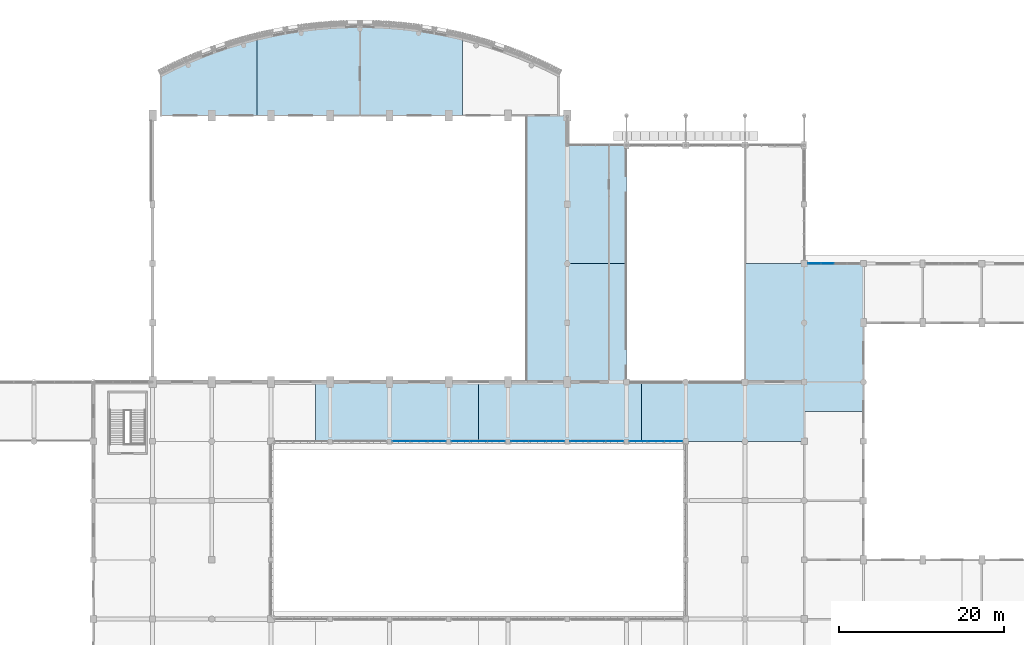
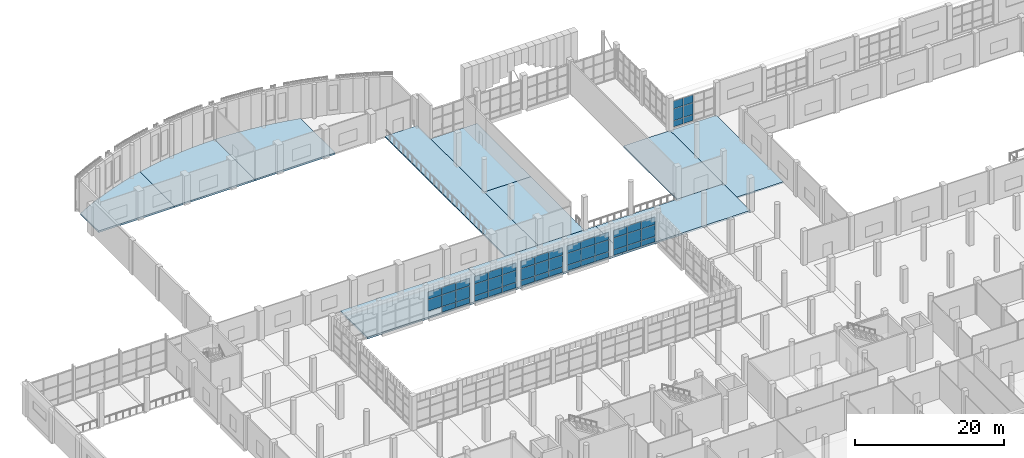
# One storey, part 40 of 80: 50 plates, 11 slabs, 6 elements without a shape of their own.
"""IFC4 building model written with IfcOpenShell, lengths in metres."""

from ifc_helpers import new_model, si_unit, direction, frame, origin, origin_2d, place, context, subcontext, project, spatial, polyline, rectangle, outline, extrude, material, layer, layer_set, type_object, element, aggregate, save


model = new_model("IFC4")

# Units and contexts
model_context = context("Model", 3, precision=1e-05, world=origin(), true_north=direction((0.0, 1.0)))
body_context = subcontext(model_context, "Body", "Model", "MODEL_VIEW")
ifc_project = project(units=[si_unit("LENGTHUNIT", "METRE"), si_unit("AREAUNIT", "SQUARE_METRE"), si_unit("VOLUMEUNIT", "CUBIC_METRE"), si_unit("PLANEANGLEUNIT", "RADIAN"), si_unit("MASSUNIT", "GRAM", prefix="KILO")], contexts=[model_context])

# Site, building, storey
site_placement = place(None, origin())
site = spatial("IfcSite", under=ifc_project, at=site_placement, CompositionType="ELEMENT")
building_placement = place(site_placement, origin())
building = spatial("IfcBuilding", under=site, at=building_placement, Name="Sardonyx Promenade Sports Hall", CompositionType="ELEMENT")
storey_placement = place(building_placement, frame((0.0, 0.0, 5.60009765625)))
storey = spatial("IfcBuildingStorey", under=building, at=storey_placement, Name="L01", CompositionType="ELEMENT", Elevation=5.60009765625)

# Curtain wall, plates
ifc_material_1 = material(Name="Aluminium 6063-T6", Category="aluminium")
curtain_wall_type_1 = type_object("IfcCurtainWallType", Name="CW_Riwaq_L01_640", PredefinedType="USERDEFINED", material=ifc_material_1)
curtain_wall_1_placement = place(storey_placement, origin())
curtain_wall_1 = element("IfcCurtainWall", 1, at=curtain_wall_1_placement, inside=storey, type_object=curtain_wall_type_1, Name="Curtain wall CW18 cw:L01:131", ObjectType="CURTAIN WALL", PredefinedType="USERDEFINED")
ifc_material_2 = material(Name="Double-glazed acoustic IGU 32 mm", Category="glass")
ifc_layer_1 = layer(ifc_material_2, 0.031982421875)
ifc_layer_set_1 = layer_set([ifc_layer_1], Name="CW_Pan_Glz_32")
plate_type_1 = type_object("IfcPlateType", Name="CW_Pan_Glz_32", PredefinedType="CURTAIN_PANEL", material=ifc_layer_set_1)
plate_1_placement = place(storey_placement, frame((63.364990234375, 64.800048828125, 0.06494140625), z_axis=(0.0, 0.0, 1.0), x_axis=(-1.0, 0.0, 0.0)))
plate_1 = element("IfcPlate", 2, at=plate_1_placement, type_object=plate_type_1, Name="Curtain panel CP02 cw:L01:131 #1", PredefinedType="CURTAIN_PANEL", context=body_context, shape_type="SweptSolid", body=[
    extrude(rectangle(XDim=2.10009765625, YDim=0.031982421875, at=origin_2d()), origin(), (0.0, 0.0, 1.0), 0.8525390625),
])
plate_2_placement = place(storey_placement, frame((63.364990234375, 64.800048828125, 0.982421875), z_axis=(0.0, 0.0, 1.0), x_axis=(-1.0, 0.0, 0.0)))
plate_2 = element("IfcPlate", 3, at=plate_2_placement, type_object=plate_type_1, Name="Curtain panel CP02 cw:L01:131 #2", PredefinedType="CURTAIN_PANEL", context=body_context, shape_type="SweptSolid", body=[
    extrude(rectangle(XDim=2.10009765625, YDim=0.031982421875, at=origin_2d()), origin(), (0.0, 0.0, 1.0), 1.885009765625),
])
plate_3_placement = place(storey_placement, frame((63.364990234375, 64.800048828125, 2.9326171875), z_axis=(0.0, 0.0, 1.0), x_axis=(-1.0, 0.0, 0.0)))
plate_3 = element("IfcPlate", 4, at=plate_3_placement, type_object=plate_type_1, Name="Curtain panel CP02 cw:L01:131 #3", PredefinedType="CURTAIN_PANEL", context=body_context, shape_type="SweptSolid", body=[
    extrude(rectangle(XDim=2.10009765625, YDim=0.031982421875, at=origin_2d()), origin(), (0.0, 0.0, 1.0), 1.202392578125),
])
plate_4_placement = place(storey_placement, frame((61.199951171875, 64.800048828125, 0.06494140625), z_axis=(0.0, 0.0, 1.0), x_axis=(-1.0, 0.0, 0.0)))
plate_4 = element("IfcPlate", 5, at=plate_4_placement, type_object=plate_type_1, Name="Curtain panel CP02 cw:L01:131 #4", PredefinedType="CURTAIN_PANEL", context=body_context, shape_type="SweptSolid", body=[
    extrude(rectangle(XDim=2.10009765625, YDim=0.031982421875, at=origin_2d()), origin(), (0.0, 0.0, 1.0), 0.8525390625),
])
plate_5_placement = place(storey_placement, frame((61.199951171875, 64.800048828125, 0.982421875), z_axis=(0.0, 0.0, 1.0), x_axis=(-1.0, 0.0, 0.0)))
plate_5 = element("IfcPlate", 6, at=plate_5_placement, type_object=plate_type_1, Name="Curtain panel CP02 cw:L01:131 #5", PredefinedType="CURTAIN_PANEL", context=body_context, shape_type="SweptSolid", body=[
    extrude(rectangle(XDim=2.10009765625, YDim=0.031982421875, at=origin_2d()), origin(), (0.0, 0.0, 1.0), 1.885009765625),
])
plate_6_placement = place(storey_placement, frame((61.199951171875, 64.800048828125, 2.9326171875), z_axis=(0.0, 0.0, 1.0), x_axis=(-1.0, 0.0, 0.0)))
plate_6 = element("IfcPlate", 7, at=plate_6_placement, type_object=plate_type_1, Name="Curtain panel CP02 cw:L01:131 #6", PredefinedType="CURTAIN_PANEL", context=body_context, shape_type="SweptSolid", body=[
    extrude(rectangle(XDim=2.10009765625, YDim=0.031982421875, at=origin_2d()), origin(), (0.0, 0.0, 1.0), 1.202392578125),
])
plate_7_placement = place(storey_placement, frame((59.034912109375, 64.800048828125, 0.982421875), z_axis=(0.0, 0.0, 1.0), x_axis=(-1.0, 0.0, 0.0)))
plate_7 = element("IfcPlate", 8, at=plate_7_placement, type_object=plate_type_1, Name="Curtain panel CP02 cw:L01:131 #8", PredefinedType="CURTAIN_PANEL", context=body_context, shape_type="SweptSolid", body=[
    extrude(rectangle(XDim=2.10009765625, YDim=0.031982421875, at=origin_2d()), origin(), (0.0, 0.0, 1.0), 1.885009765625),
])
plate_8_placement = place(storey_placement, frame((59.034912109375, 64.800048828125, 2.9326171875), z_axis=(0.0, 0.0, 1.0), x_axis=(-1.0, 0.0, 0.0)))
plate_8 = element("IfcPlate", 9, at=plate_8_placement, type_object=plate_type_1, Name="Curtain panel CP02 cw:L01:131 #9", PredefinedType="CURTAIN_PANEL", context=body_context, shape_type="SweptSolid", body=[
    extrude(rectangle(XDim=2.10009765625, YDim=0.031982421875, at=origin_2d()), origin(), (0.0, 0.0, 1.0), 1.202392578125),
])
aggregate(curtain_wall_1, [plate_1, plate_2, plate_3, plate_4, plate_5, plate_6, plate_7, plate_8])

curtain_wall_2_placement = place(storey_placement, origin())
curtain_wall_2 = element("IfcCurtainWall", 10, at=curtain_wall_2_placement, inside=storey, type_object=curtain_wall_type_1, Name="Curtain wall CW18 cw:L01:133", ObjectType="CURTAIN WALL", PredefinedType="USERDEFINED")
plate_9_placement = place(storey_placement, frame((70.56494140625, 64.800048828125, 0.06494140625), z_axis=(0.0, 0.0, 1.0), x_axis=(-1.0, 0.0, 0.0)))
plate_9 = element("IfcPlate", 11, at=plate_9_placement, type_object=plate_type_1, Name="Curtain panel CP02 cw:L01:133 #1", PredefinedType="CURTAIN_PANEL", context=body_context, shape_type="SweptSolid", body=[
    extrude(rectangle(XDim=2.10009765625, YDim=0.031982421875, at=origin_2d()), origin(), (0.0, 0.0, 1.0), 0.8525390625),
])
plate_10_placement = place(storey_placement, frame((70.56494140625, 64.800048828125, 0.982421875), z_axis=(0.0, 0.0, 1.0), x_axis=(-1.0, 0.0, 0.0)))
plate_10 = element("IfcPlate", 12, at=plate_10_placement, type_object=plate_type_1, Name="Curtain panel CP02 cw:L01:133 #2", PredefinedType="CURTAIN_PANEL", context=body_context, shape_type="SweptSolid", body=[
    extrude(rectangle(XDim=2.10009765625, YDim=0.031982421875, at=origin_2d()), origin(), (0.0, 0.0, 1.0), 1.885009765625),
])
plate_11_placement = place(storey_placement, frame((70.56494140625, 64.800048828125, 2.9326171875), z_axis=(0.0, 0.0, 1.0), x_axis=(-1.0, 0.0, 0.0)))
plate_11 = element("IfcPlate", 13, at=plate_11_placement, type_object=plate_type_1, Name="Curtain panel CP02 cw:L01:133 #3", PredefinedType="CURTAIN_PANEL", context=body_context, shape_type="SweptSolid", body=[
    extrude(rectangle(XDim=2.10009765625, YDim=0.031982421875, at=origin_2d()), origin(), (0.0, 0.0, 1.0), 1.202392578125),
])
plate_12_placement = place(storey_placement, frame((68.39990234375, 64.800048828125, 0.06494140625), z_axis=(0.0, 0.0, 1.0), x_axis=(-1.0, 0.0, 0.0)))
plate_12 = element("IfcPlate", 14, at=plate_12_placement, type_object=plate_type_1, Name="Curtain panel CP02 cw:L01:133 #4", PredefinedType="CURTAIN_PANEL", context=body_context, shape_type="SweptSolid", body=[
    extrude(rectangle(XDim=2.10009765625, YDim=0.031982421875, at=origin_2d()), origin(), (0.0, 0.0, 1.0), 0.8525390625),
])
plate_13_placement = place(storey_placement, frame((68.39990234375, 64.800048828125, 0.982421875), z_axis=(0.0, 0.0, 1.0), x_axis=(-1.0, 0.0, 0.0)))
plate_13 = element("IfcPlate", 15, at=plate_13_placement, type_object=plate_type_1, Name="Curtain panel CP02 cw:L01:133 #5", PredefinedType="CURTAIN_PANEL", context=body_context, shape_type="SweptSolid", body=[
    extrude(rectangle(XDim=2.10009765625, YDim=0.031982421875, at=origin_2d()), origin(), (0.0, 0.0, 1.0), 1.885009765625),
])
plate_14_placement = place(storey_placement, frame((68.39990234375, 64.800048828125, 2.9326171875), z_axis=(0.0, 0.0, 1.0), x_axis=(-1.0, 0.0, 0.0)))
plate_14 = element("IfcPlate", 16, at=plate_14_placement, type_object=plate_type_1, Name="Curtain panel CP02 cw:L01:133 #6", PredefinedType="CURTAIN_PANEL", context=body_context, shape_type="SweptSolid", body=[
    extrude(rectangle(XDim=2.10009765625, YDim=0.031982421875, at=origin_2d()), origin(), (0.0, 0.0, 1.0), 1.202392578125),
])
plate_15_placement = place(storey_placement, frame((66.235107421875, 64.800048828125, 0.06494140625), z_axis=(0.0, 0.0, 1.0), x_axis=(-1.0, 0.0, 0.0)))
plate_15 = element("IfcPlate", 17, at=plate_15_placement, type_object=plate_type_1, Name="Curtain panel CP02 cw:L01:133 #7", PredefinedType="CURTAIN_PANEL", context=body_context, shape_type="SweptSolid", body=[
    extrude(rectangle(XDim=2.10009765625, YDim=0.031982421875, at=origin_2d()), origin(), (0.0, 0.0, 1.0), 0.8525390625),
])
plate_16_placement = place(storey_placement, frame((66.235107421875, 64.800048828125, 0.982421875), z_axis=(0.0, 0.0, 1.0), x_axis=(-1.0, 0.0, 0.0)))
plate_16 = element("IfcPlate", 18, at=plate_16_placement, type_object=plate_type_1, Name="Curtain panel CP02 cw:L01:133 #8", PredefinedType="CURTAIN_PANEL", context=body_context, shape_type="SweptSolid", body=[
    extrude(rectangle(XDim=2.10009765625, YDim=0.031982421875, at=origin_2d()), origin(), (0.0, 0.0, 1.0), 1.885009765625),
])
plate_17_placement = place(storey_placement, frame((66.235107421875, 64.800048828125, 2.9326171875), z_axis=(0.0, 0.0, 1.0), x_axis=(-1.0, 0.0, 0.0)))
plate_17 = element("IfcPlate", 19, at=plate_17_placement, type_object=plate_type_1, Name="Curtain panel CP02 cw:L01:133 #9", PredefinedType="CURTAIN_PANEL", context=body_context, shape_type="SweptSolid", body=[
    extrude(rectangle(XDim=2.10009765625, YDim=0.031982421875, at=origin_2d()), origin(), (0.0, 0.0, 1.0), 1.202392578125),
])
aggregate(curtain_wall_2, [plate_9, plate_10, plate_11, plate_12, plate_13, plate_14, plate_15, plate_16, plate_17])

curtain_wall_3_placement = place(storey_placement, origin())
curtain_wall_3 = element("IfcCurtainWall", 20, at=curtain_wall_3_placement, inside=storey, type_object=curtain_wall_type_1, Name="Curtain wall CW18 cw:L01:135", ObjectType="CURTAIN WALL", PredefinedType="USERDEFINED")
plate_18_placement = place(storey_placement, frame((77.764892578125, 64.800048828125, 0.06494140625), z_axis=(0.0, 0.0, 1.0), x_axis=(-1.0, 0.0, 0.0)))
plate_18 = element("IfcPlate", 21, at=plate_18_placement, type_object=plate_type_1, Name="Curtain panel CP02 cw:L01:135 #1", PredefinedType="CURTAIN_PANEL", context=body_context, shape_type="SweptSolid", body=[
    extrude(rectangle(XDim=2.10009765625, YDim=0.031982421875, at=origin_2d()), origin(), (0.0, 0.0, 1.0), 0.8525390625),
])
plate_19_placement = place(storey_placement, frame((77.764892578125, 64.800048828125, 0.982421875), z_axis=(0.0, 0.0, 1.0), x_axis=(-1.0, 0.0, 0.0)))
plate_19 = element("IfcPlate", 22, at=plate_19_placement, type_object=plate_type_1, Name="Curtain panel CP02 cw:L01:135 #2", PredefinedType="CURTAIN_PANEL", context=body_context, shape_type="SweptSolid", body=[
    extrude(rectangle(XDim=2.10009765625, YDim=0.031982421875, at=origin_2d()), origin(), (0.0, 0.0, 1.0), 1.885009765625),
])
plate_20_placement = place(storey_placement, frame((77.764892578125, 64.800048828125, 2.9326171875), z_axis=(0.0, 0.0, 1.0), x_axis=(-1.0, 0.0, 0.0)))
plate_20 = element("IfcPlate", 23, at=plate_20_placement, type_object=plate_type_1, Name="Curtain panel CP02 cw:L01:135 #3", PredefinedType="CURTAIN_PANEL", context=body_context, shape_type="SweptSolid", body=[
    extrude(rectangle(XDim=2.10009765625, YDim=0.031982421875, at=origin_2d()), origin(), (0.0, 0.0, 1.0), 1.202392578125),
])
plate_21_placement = place(storey_placement, frame((75.60009765625, 64.800048828125, 0.06494140625), z_axis=(0.0, 0.0, 1.0), x_axis=(-1.0, 0.0, 0.0)))
plate_21 = element("IfcPlate", 24, at=plate_21_placement, type_object=plate_type_1, Name="Curtain panel CP02 cw:L01:135 #4", PredefinedType="CURTAIN_PANEL", context=body_context, shape_type="SweptSolid", body=[
    extrude(rectangle(XDim=2.10009765625, YDim=0.031982421875, at=origin_2d()), origin(), (0.0, 0.0, 1.0), 0.8525390625),
])
plate_22_placement = place(storey_placement, frame((75.60009765625, 64.800048828125, 0.982421875), z_axis=(0.0, 0.0, 1.0), x_axis=(-1.0, 0.0, 0.0)))
plate_22 = element("IfcPlate", 25, at=plate_22_placement, type_object=plate_type_1, Name="Curtain panel CP02 cw:L01:135 #5", PredefinedType="CURTAIN_PANEL", context=body_context, shape_type="SweptSolid", body=[
    extrude(rectangle(XDim=2.10009765625, YDim=0.031982421875, at=origin_2d()), origin(), (0.0, 0.0, 1.0), 1.885009765625),
])
plate_23_placement = place(storey_placement, frame((75.60009765625, 64.800048828125, 2.9326171875), z_axis=(0.0, 0.0, 1.0), x_axis=(-1.0, 0.0, 0.0)))
plate_23 = element("IfcPlate", 26, at=plate_23_placement, type_object=plate_type_1, Name="Curtain panel CP02 cw:L01:135 #6", PredefinedType="CURTAIN_PANEL", context=body_context, shape_type="SweptSolid", body=[
    extrude(rectangle(XDim=2.10009765625, YDim=0.031982421875, at=origin_2d()), origin(), (0.0, 0.0, 1.0), 1.202392578125),
])
plate_24_placement = place(storey_placement, frame((73.43505859375, 64.800048828125, 0.06494140625), z_axis=(0.0, 0.0, 1.0), x_axis=(-1.0, 0.0, 0.0)))
plate_24 = element("IfcPlate", 27, at=plate_24_placement, type_object=plate_type_1, Name="Curtain panel CP02 cw:L01:135 #7", PredefinedType="CURTAIN_PANEL", context=body_context, shape_type="SweptSolid", body=[
    extrude(rectangle(XDim=2.10009765625, YDim=0.031982421875, at=origin_2d()), origin(), (0.0, 0.0, 1.0), 0.8525390625),
])
plate_25_placement = place(storey_placement, frame((73.43505859375, 64.800048828125, 0.982421875), z_axis=(0.0, 0.0, 1.0), x_axis=(-1.0, 0.0, 0.0)))
plate_25 = element("IfcPlate", 28, at=plate_25_placement, type_object=plate_type_1, Name="Curtain panel CP02 cw:L01:135 #8", PredefinedType="CURTAIN_PANEL", context=body_context, shape_type="SweptSolid", body=[
    extrude(rectangle(XDim=2.10009765625, YDim=0.031982421875, at=origin_2d()), origin(), (0.0, 0.0, 1.0), 1.885009765625),
])
plate_26_placement = place(storey_placement, frame((73.43505859375, 64.800048828125, 2.9326171875), z_axis=(0.0, 0.0, 1.0), x_axis=(-1.0, 0.0, 0.0)))
plate_26 = element("IfcPlate", 29, at=plate_26_placement, type_object=plate_type_1, Name="Curtain panel CP02 cw:L01:135 #9", PredefinedType="CURTAIN_PANEL", context=body_context, shape_type="SweptSolid", body=[
    extrude(rectangle(XDim=2.10009765625, YDim=0.031982421875, at=origin_2d()), origin(), (0.0, 0.0, 1.0), 1.202392578125),
])
aggregate(curtain_wall_3, [plate_18, plate_19, plate_20, plate_21, plate_22, plate_23, plate_24, plate_25, plate_26])

curtain_wall_4_placement = place(storey_placement, origin())
curtain_wall_4 = element("IfcCurtainWall", 30, at=curtain_wall_4_placement, inside=storey, type_object=curtain_wall_type_1, Name="Curtain wall CW18 cw:L01:137", ObjectType="CURTAIN WALL", PredefinedType="USERDEFINED")
plate_27_placement = place(storey_placement, frame((84.965087890625, 64.800048828125, 0.06494140625), z_axis=(0.0, 0.0, 1.0), x_axis=(-1.0, 0.0, 0.0)))
plate_27 = element("IfcPlate", 31, at=plate_27_placement, type_object=plate_type_1, Name="Curtain panel CP02 cw:L01:137 #1", PredefinedType="CURTAIN_PANEL", context=body_context, shape_type="SweptSolid", body=[
    extrude(rectangle(XDim=2.10009765625, YDim=0.031982421875, at=origin_2d()), origin(), (0.0, 0.0, 1.0), 0.8525390625),
])
plate_28_placement = place(storey_placement, frame((84.965087890625, 64.800048828125, 0.982421875), z_axis=(0.0, 0.0, 1.0), x_axis=(-1.0, 0.0, 0.0)))
plate_28 = element("IfcPlate", 32, at=plate_28_placement, type_object=plate_type_1, Name="Curtain panel CP02 cw:L01:137 #2", PredefinedType="CURTAIN_PANEL", context=body_context, shape_type="SweptSolid", body=[
    extrude(rectangle(XDim=2.10009765625, YDim=0.031982421875, at=origin_2d()), origin(), (0.0, 0.0, 1.0), 1.885009765625),
])
plate_29_placement = place(storey_placement, frame((84.965087890625, 64.800048828125, 2.9326171875), z_axis=(0.0, 0.0, 1.0), x_axis=(-1.0, 0.0, 0.0)))
plate_29 = element("IfcPlate", 33, at=plate_29_placement, type_object=plate_type_1, Name="Curtain panel CP02 cw:L01:137 #3", PredefinedType="CURTAIN_PANEL", context=body_context, shape_type="SweptSolid", body=[
    extrude(rectangle(XDim=2.10009765625, YDim=0.031982421875, at=origin_2d()), origin(), (0.0, 0.0, 1.0), 1.202392578125),
])
plate_30_placement = place(storey_placement, frame((82.800048828125, 64.800048828125, 0.06494140625), z_axis=(0.0, 0.0, 1.0), x_axis=(-1.0, 0.0, 0.0)))
plate_30 = element("IfcPlate", 34, at=plate_30_placement, type_object=plate_type_1, Name="Curtain panel CP02 cw:L01:137 #4", PredefinedType="CURTAIN_PANEL", context=body_context, shape_type="SweptSolid", body=[
    extrude(rectangle(XDim=2.10009765625, YDim=0.031982421875, at=origin_2d()), origin(), (0.0, 0.0, 1.0), 0.8525390625),
])
plate_31_placement = place(storey_placement, frame((82.800048828125, 64.800048828125, 0.982421875), z_axis=(0.0, 0.0, 1.0), x_axis=(-1.0, 0.0, 0.0)))
plate_31 = element("IfcPlate", 35, at=plate_31_placement, type_object=plate_type_1, Name="Curtain panel CP02 cw:L01:137 #5", PredefinedType="CURTAIN_PANEL", context=body_context, shape_type="SweptSolid", body=[
    extrude(rectangle(XDim=2.10009765625, YDim=0.031982421875, at=origin_2d()), origin(), (0.0, 0.0, 1.0), 1.885009765625),
])
plate_32_placement = place(storey_placement, frame((82.800048828125, 64.800048828125, 2.9326171875), z_axis=(0.0, 0.0, 1.0), x_axis=(-1.0, 0.0, 0.0)))
plate_32 = element("IfcPlate", 36, at=plate_32_placement, type_object=plate_type_1, Name="Curtain panel CP02 cw:L01:137 #6", PredefinedType="CURTAIN_PANEL", context=body_context, shape_type="SweptSolid", body=[
    extrude(rectangle(XDim=2.10009765625, YDim=0.031982421875, at=origin_2d()), origin(), (0.0, 0.0, 1.0), 1.202392578125),
])
plate_33_placement = place(storey_placement, frame((80.635009765625, 64.800048828125, 0.06494140625), z_axis=(0.0, 0.0, 1.0), x_axis=(-1.0, 0.0, 0.0)))
plate_33 = element("IfcPlate", 37, at=plate_33_placement, type_object=plate_type_1, Name="Curtain panel CP02 cw:L01:137 #7", PredefinedType="CURTAIN_PANEL", context=body_context, shape_type="SweptSolid", body=[
    extrude(rectangle(XDim=2.10009765625, YDim=0.031982421875, at=origin_2d()), origin(), (0.0, 0.0, 1.0), 0.8525390625),
])
plate_34_placement = place(storey_placement, frame((80.635009765625, 64.800048828125, 0.982421875), z_axis=(0.0, 0.0, 1.0), x_axis=(-1.0, 0.0, 0.0)))
plate_34 = element("IfcPlate", 38, at=plate_34_placement, type_object=plate_type_1, Name="Curtain panel CP02 cw:L01:137 #8", PredefinedType="CURTAIN_PANEL", context=body_context, shape_type="SweptSolid", body=[
    extrude(rectangle(XDim=2.10009765625, YDim=0.031982421875, at=origin_2d()), origin(), (0.0, 0.0, 1.0), 1.885009765625),
])
plate_35_placement = place(storey_placement, frame((80.635009765625, 64.800048828125, 2.9326171875), z_axis=(0.0, 0.0, 1.0), x_axis=(-1.0, 0.0, 0.0)))
plate_35 = element("IfcPlate", 39, at=plate_35_placement, type_object=plate_type_1, Name="Curtain panel CP02 cw:L01:137 #9", PredefinedType="CURTAIN_PANEL", context=body_context, shape_type="SweptSolid", body=[
    extrude(rectangle(XDim=2.10009765625, YDim=0.031982421875, at=origin_2d()), origin(), (0.0, 0.0, 1.0), 1.202392578125),
])
aggregate(curtain_wall_4, [plate_27, plate_28, plate_29, plate_30, plate_31, plate_32, plate_33, plate_34, plate_35])

curtain_wall_5_placement = place(storey_placement, origin())
curtain_wall_5 = element("IfcCurtainWall", 40, at=curtain_wall_5_placement, inside=storey, type_object=curtain_wall_type_1, Name="Curtain wall CW18 cw:L01:139", ObjectType="CURTAIN WALL", PredefinedType="USERDEFINED")
plate_36_placement = place(storey_placement, frame((92.123291015625, 64.800048828125, 0.06494140625), z_axis=(0.0, 0.0, 1.0), x_axis=(-1.0, 0.0, 0.0)))
plate_36 = element("IfcPlate", 41, at=plate_36_placement, type_object=plate_type_1, Name="Curtain panel CP02 cw:L01:139 #1", PredefinedType="CURTAIN_PANEL", context=body_context, shape_type="SweptSolid", body=[
    extrude(rectangle(XDim=2.083251953125, YDim=0.031982421875, at=origin_2d()), origin(), (0.0, 0.0, 1.0), 0.8525390625),
])
plate_37_placement = place(storey_placement, frame((92.123291015625, 64.800048828125, 0.982421875), z_axis=(0.0, 0.0, 1.0), x_axis=(-1.0, 0.0, 0.0)))
plate_37 = element("IfcPlate", 42, at=plate_37_placement, type_object=plate_type_1, Name="Curtain panel CP02 cw:L01:139 #2", PredefinedType="CURTAIN_PANEL", context=body_context, shape_type="SweptSolid", body=[
    extrude(rectangle(XDim=2.083251953125, YDim=0.031982421875, at=origin_2d()), origin(), (0.0, 0.0, 1.0), 1.885009765625),
])
plate_38_placement = place(storey_placement, frame((92.123291015625, 64.800048828125, 2.9326171875), z_axis=(0.0, 0.0, 1.0), x_axis=(-1.0, 0.0, 0.0)))
plate_38 = element("IfcPlate", 43, at=plate_38_placement, type_object=plate_type_1, Name="Curtain panel CP02 cw:L01:139 #3", PredefinedType="CURTAIN_PANEL", context=body_context, shape_type="SweptSolid", body=[
    extrude(rectangle(XDim=2.083251953125, YDim=0.031982421875, at=origin_2d()), origin(), (0.0, 0.0, 1.0), 1.202392578125),
])
plate_39_placement = place(storey_placement, frame((89.97509765625, 64.800048828125, 0.06494140625), z_axis=(0.0, 0.0, 1.0), x_axis=(-1.0, 0.0, 0.0)))
plate_39 = element("IfcPlate", 44, at=plate_39_placement, type_object=plate_type_1, Name="Curtain panel CP02 cw:L01:139 #4", PredefinedType="CURTAIN_PANEL", context=body_context, shape_type="SweptSolid", body=[
    extrude(rectangle(XDim=2.083251953125, YDim=0.031982421875, at=origin_2d()), origin(), (0.0, 0.0, 1.0), 0.8525390625),
])
plate_40_placement = place(storey_placement, frame((89.97509765625, 64.800048828125, 0.982421875), z_axis=(0.0, 0.0, 1.0), x_axis=(-1.0, 0.0, 0.0)))
plate_40 = element("IfcPlate", 45, at=plate_40_placement, type_object=plate_type_1, Name="Curtain panel CP02 cw:L01:139 #5", PredefinedType="CURTAIN_PANEL", context=body_context, shape_type="SweptSolid", body=[
    extrude(rectangle(XDim=2.083251953125, YDim=0.031982421875, at=origin_2d()), origin(), (0.0, 0.0, 1.0), 1.885009765625),
])
plate_41_placement = place(storey_placement, frame((89.97509765625, 64.800048828125, 2.9326171875), z_axis=(0.0, 0.0, 1.0), x_axis=(-1.0, 0.0, 0.0)))
plate_41 = element("IfcPlate", 46, at=plate_41_placement, type_object=plate_type_1, Name="Curtain panel CP02 cw:L01:139 #6", PredefinedType="CURTAIN_PANEL", context=body_context, shape_type="SweptSolid", body=[
    extrude(rectangle(XDim=2.083251953125, YDim=0.031982421875, at=origin_2d()), origin(), (0.0, 0.0, 1.0), 1.202392578125),
])
plate_42_placement = place(storey_placement, frame((87.82666015625, 64.800048828125, 0.06494140625), z_axis=(0.0, 0.0, 1.0), x_axis=(-1.0, 0.0, 0.0)))
plate_42 = element("IfcPlate", 47, at=plate_42_placement, type_object=plate_type_1, Name="Curtain panel CP02 cw:L01:139 #7", PredefinedType="CURTAIN_PANEL", context=body_context, shape_type="SweptSolid", body=[
    extrude(rectangle(XDim=2.083251953125, YDim=0.031982421875, at=origin_2d()), origin(), (0.0, 0.0, 1.0), 0.8525390625),
])
plate_43_placement = place(storey_placement, frame((87.82666015625, 64.800048828125, 0.982421875), z_axis=(0.0, 0.0, 1.0), x_axis=(-1.0, 0.0, 0.0)))
plate_43 = element("IfcPlate", 48, at=plate_43_placement, type_object=plate_type_1, Name="Curtain panel CP02 cw:L01:139 #8", PredefinedType="CURTAIN_PANEL", context=body_context, shape_type="SweptSolid", body=[
    extrude(rectangle(XDim=2.083251953125, YDim=0.031982421875, at=origin_2d()), origin(), (0.0, 0.0, 1.0), 1.885009765625),
])
plate_44_placement = place(storey_placement, frame((87.82666015625, 64.800048828125, 2.9326171875), z_axis=(0.0, 0.0, 1.0), x_axis=(-1.0, 0.0, 0.0)))
plate_44 = element("IfcPlate", 49, at=plate_44_placement, type_object=plate_type_1, Name="Curtain panel CP02 cw:L01:139 #9", PredefinedType="CURTAIN_PANEL", context=body_context, shape_type="SweptSolid", body=[
    extrude(rectangle(XDim=2.083251953125, YDim=0.031982421875, at=origin_2d()), origin(), (0.0, 0.0, 1.0), 1.202392578125),
])
aggregate(curtain_wall_5, [plate_36, plate_37, plate_38, plate_39, plate_40, plate_41, plate_42, plate_43, plate_44])

ifc_material_3 = material(Name="Aluminium 6063-T6", Category="aluminium")
curtain_wall_type_2 = type_object("IfcCurtainWallType", Name="CW_Prac_North_L01", PredefinedType="USERDEFINED", material=ifc_material_3)
curtain_wall_6_placement = place(storey_placement, origin())
curtain_wall_6 = element("IfcCurtainWall", 50, at=curtain_wall_6_placement, inside=storey, type_object=curtain_wall_type_2, Name="Curtain wall CW04 cw:L01:103", ObjectType="CURTAIN WALL", PredefinedType="USERDEFINED")
ifc_material_4 = material(Name="Laminated safety sports IGU 36 mm", Category="glass")
ifc_layer_2 = layer(ifc_material_4, 0.035888671875)
ifc_layer_set_2 = layer_set([ifc_layer_2], Name="CW_Pan_Glz_36")
plate_type_2 = type_object("IfcPlateType", Name="CW_Pan_Glz_36", PredefinedType="CURTAIN_PANEL", material=ifc_layer_set_2)
plate_45_placement = place(storey_placement, frame((109.24755859375, 86.39990234375, 0.419921875), z_axis=(0.0, 0.0, 1.0), x_axis=(1.0, 0.0, 0.0)))
plate_45 = element("IfcPlate", 51, at=plate_45_placement, type_object=plate_type_2, Name="Curtain panel CP03 cw:L01:103 #1", PredefinedType="CURTAIN_PANEL", context=body_context, shape_type="SweptSolid", body=[
    extrude(rectangle(XDim=1.514892578125, YDim=0.035888671875, at=origin_2d()), origin(), (0.0, 0.0, 1.0), 0.945068359375),
])
plate_46_placement = place(storey_placement, frame((109.24755859375, 86.39990234375, 1.43505859375), z_axis=(0.0, 0.0, 1.0), x_axis=(1.0, 0.0, 0.0)))
plate_46 = element("IfcPlate", 52, at=plate_46_placement, type_object=plate_type_2, Name="Curtain panel CP03 cw:L01:103 #2", PredefinedType="CURTAIN_PANEL", context=body_context, shape_type="SweptSolid", body=[
    extrude(rectangle(XDim=1.514892578125, YDim=0.035888671875, at=origin_2d()), origin(), (0.0, 0.0, 1.0), 1.8798828125),
])
plate_47_placement = place(storey_placement, frame((109.24755859375, 86.39990234375, 3.384765625), z_axis=(0.0, 0.0, 1.0), x_axis=(1.0, 0.0, 0.0)))
plate_47 = element("IfcPlate", 53, at=plate_47_placement, type_object=plate_type_2, Name="Curtain panel CP03 cw:L01:103 #3", PredefinedType="CURTAIN_PANEL", context=body_context, shape_type="SweptSolid", body=[
    extrude(rectangle(XDim=1.514892578125, YDim=0.035888671875, at=origin_2d()), origin(), (0.0, 0.0, 1.0), 1.2451171875),
])
plate_48_placement = place(storey_placement, frame((110.83251953125, 86.39990234375, 0.419921875), z_axis=(0.0, 0.0, 1.0), x_axis=(1.0, 0.0, 0.0)))
plate_48 = element("IfcPlate", 54, at=plate_48_placement, type_object=plate_type_2, Name="Curtain panel CP03 cw:L01:103 #4", PredefinedType="CURTAIN_PANEL", context=body_context, shape_type="SweptSolid", body=[
    extrude(rectangle(XDim=1.514892578125, YDim=0.035888671875, at=origin_2d()), origin(), (0.0, 0.0, 1.0), 0.945068359375),
])
plate_49_placement = place(storey_placement, frame((110.83251953125, 86.39990234375, 1.43505859375), z_axis=(0.0, 0.0, 1.0), x_axis=(1.0, 0.0, 0.0)))
plate_49 = element("IfcPlate", 55, at=plate_49_placement, type_object=plate_type_2, Name="Curtain panel CP03 cw:L01:103 #5", PredefinedType="CURTAIN_PANEL", context=body_context, shape_type="SweptSolid", body=[
    extrude(rectangle(XDim=1.514892578125, YDim=0.035888671875, at=origin_2d()), origin(), (0.0, 0.0, 1.0), 1.8798828125),
])
plate_50_placement = place(storey_placement, frame((110.83251953125, 86.39990234375, 3.384765625), z_axis=(0.0, 0.0, 1.0), x_axis=(1.0, 0.0, 0.0)))
plate_50 = element("IfcPlate", 56, at=plate_50_placement, type_object=plate_type_2, Name="Curtain panel CP03 cw:L01:103 #6", PredefinedType="CURTAIN_PANEL", context=body_context, shape_type="SweptSolid", body=[
    extrude(rectangle(XDim=1.514892578125, YDim=0.035888671875, at=origin_2d()), origin(), (0.0, 0.0, 1.0), 1.2451171875),
])
aggregate(curtain_wall_6, [plate_45, plate_46, plate_47, plate_48, plate_49, plate_50])

# Slabs
ifc_material_5 = material(Name="Concrete C40/50", Category="concrete")
ifc_layer_3 = layer(ifc_material_5, 0.2900390625)
ifc_layer_set_3 = layer_set([ifc_layer_3], Name="Slab_Ext_Loggia_220")
slab_type_1 = type_object("IfcSlabType", Name="Slab_Ext_Loggia_220", PredefinedType="FLOOR", material=ifc_layer_set_3)
slab_1_placement = place(storey_placement, frame((0.0, 0.0, -0.2900390625)))
element("IfcSlab", 57, at=slab_1_placement, inside=storey, type_object=slab_type_1, Name="Bowed promenade loggia slab L01 #1", PredefinedType="FLOOR", context=body_context, shape_type="SweptSolid", body=[
    extrude(outline(polyline([(29.773681640625, 104.39990234375), (41.522216796875, 104.39990234375), (41.522216796875, 113.6806640625), (39.78271484375, 113.21875), (38.06005859375, 112.696533203125), (36.3564453125, 112.115234375), (34.674072265625, 111.475341796875), (33.014892578125, 110.777587890625), (31.380859375, 110.022705078125), (29.773681640625, 109.2119140625), (29.773681640625, 104.39990234375)])), origin(), (0.0, 0.0, 1.0), 0.2900390625),
])
slab_2_placement = place(storey_placement, frame((0.0, 0.0, -0.2900390625)))
element("IfcSlab", 58, at=slab_2_placement, inside=storey, type_object=slab_type_1, Name="Bowed promenade loggia slab L01 #2", PredefinedType="FLOOR", context=body_context, shape_type="SweptSolid", body=[
    extrude(outline(polyline([(41.522216796875, 104.39990234375), (54.0, 104.39990234375), (54.0, 115.199951171875), (52.2001953125, 115.1689453125), (50.402587890625, 115.075439453125), (48.609375, 114.919921875), (46.822509765625, 114.702392578125), (45.04443359375, 114.423095703125), (43.27685546875, 114.082275390625), (41.522216796875, 113.6806640625), (41.522216796875, 104.39990234375)])), origin(), (0.0, 0.0, 1.0), 0.2900390625),
])
slab_3_placement = place(storey_placement, frame((0.0, 0.0, -0.2900390625)))
element("IfcSlab", 59, at=slab_3_placement, inside=storey, type_object=slab_type_1, Name="Bowed promenade loggia slab L01 #3", PredefinedType="FLOOR", context=body_context, shape_type="SweptSolid", body=[
    extrude(outline(polyline([(54.0, 104.39990234375), (66.477783203125, 104.39990234375), (66.477783203125, 113.6806640625), (64.72314453125, 114.082275390625), (62.95556640625, 114.423095703125), (61.177490234375, 114.702392578125), (59.390625, 114.919921875), (57.597412109375, 115.075439453125), (55.7998046875, 115.1689453125), (54.0, 115.199951171875), (54.0, 104.39990234375)])), origin(), (0.0, 0.0, 1.0), 0.2900390625),
])
slab_4_placement = place(storey_placement, frame((0.0, 0.0, -0.2900390625)))
element("IfcSlab", 60, at=slab_4_placement, inside=storey, type_object=slab_type_1, Name="Slab TS03 L01 #142", PredefinedType="FLOOR", context=body_context, shape_type="SweptSolid", body=[
    extrude(outline(polyline([(48.60009765625, 64.800048828125), (68.39990234375, 64.800048828125), (68.39990234375, 72.0), (48.60009765625, 72.0), (48.60009765625, 64.800048828125)])), origin(), (0.0, 0.0, 1.0), 0.2900390625),
])
slab_5_placement = place(storey_placement, frame((0.0, 0.0, -0.2900390625)))
element("IfcSlab", 61, at=slab_5_placement, inside=storey, type_object=slab_type_1, Name="Slab TS03 L01 #143", PredefinedType="FLOOR", context=body_context, shape_type="SweptSolid", body=[
    extrude(outline(polyline([(68.39990234375, 64.800048828125), (88.199951171875, 64.800048828125), (88.199951171875, 72.0), (68.39990234375, 72.0), (68.39990234375, 64.800048828125)])), origin(), (0.0, 0.0, 1.0), 0.2900390625),
])
slab_6_placement = place(storey_placement, frame((0.0, 0.0, -0.2900390625)))
element("IfcSlab", 62, at=slab_6_placement, inside=storey, type_object=slab_type_1, Name="Slab TS03 L01 #144", PredefinedType="FLOOR", context=body_context, shape_type="SweptSolid", body=[
    extrude(outline(polyline([(88.199951171875, 64.800048828125), (108.0, 64.800048828125), (108.0, 72.0), (88.199951171875, 72.0), (88.199951171875, 64.800048828125)])), origin(), (0.0, 0.0, 1.0), 0.2900390625),
])
ifc_material_6 = material(Name="Concrete C40/50", Category="concrete")
ifc_layer_4 = layer(ifc_material_6, 0.219970703125)
ifc_layer_set_4 = layer_set([ifc_layer_4], Name="Slab_Floor_Gallery_220")
slab_type_2 = type_object("IfcSlabType", Name="Slab_Floor_Gallery_220", PredefinedType="FLOOR", material=ifc_layer_set_4)
slab_7_placement = place(storey_placement, frame((0.0, 0.0, -0.22021484375)))
element("IfcSlab", 63, at=slab_7_placement, inside=storey, type_object=slab_type_2, Name="Slab FS04 L01 #111", PredefinedType="FLOOR", context=body_context, shape_type="SweptSolid", body=[
    extrude(outline(polyline([(108.0, 68.39990234375), (115.199951171875, 68.39990234375), (115.199951171875, 86.39990234375), (108.0, 86.39990234375), (108.0, 68.39990234375)])), origin(), (0.0, 0.0, 1.0), 0.22021484375),
])
slab_8_placement = place(storey_placement, frame((0.0, 0.0, -0.22021484375)))
element("IfcSlab", 64, at=slab_8_placement, inside=storey, type_object=slab_type_2, Name="Slab FS04 L01 #121", PredefinedType="FLOOR", context=body_context, shape_type="SweptSolid", body=[
    extrude(outline(polyline([(79.199951171875, 72.0), (86.39990234375, 72.0), (86.39990234375, 86.39990234375), (79.199951171875, 86.39990234375), (79.199951171875, 72.0)])), origin(), (0.0, 0.0, 1.0), 0.22021484375),
])
slab_9_placement = place(storey_placement, frame((0.0, 0.0, -0.22021484375)))
element("IfcSlab", 65, at=slab_9_placement, inside=storey, type_object=slab_type_2, Name="Slab FS04 L01 #122", PredefinedType="FLOOR", context=body_context, shape_type="SweptSolid", body=[
    extrude(outline(polyline([(79.199951171875, 86.39990234375), (86.39990234375, 86.39990234375), (86.39990234375, 100.800048828125), (79.199951171875, 100.800048828125), (79.199951171875, 86.39990234375)])), origin(), (0.0, 0.0, 1.0), 0.22021484375),
])
slab_10_placement = place(storey_placement, frame((0.0, 0.0, -0.22021484375)))
element("IfcSlab", 66, at=slab_10_placement, inside=storey, type_object=slab_type_2, Name="Slab FS04 L01 #123", PredefinedType="FLOOR", context=body_context, shape_type="SweptSolid", body=[
    extrude(outline(polyline([(100.800048828125, 72.0), (108.0, 72.0), (108.0, 86.39990234375), (100.800048828125, 86.39990234375), (100.800048828125, 72.0)])), origin(), (0.0, 0.0, 1.0), 0.22021484375),
])
slab_11_placement = place(storey_placement, frame((0.0, 0.0, -0.22021484375)))
element("IfcSlab", 67, at=slab_11_placement, inside=storey, type_object=slab_type_2, Name="Promenade exhibition link gallery slab FS04 L01", PredefinedType="FLOOR", context=body_context, shape_type="SweptSolid", body=[
    extrude(outline(polyline([(74.199951171875, 72.0), (79.199951171875, 72.0), (79.199951171875, 104.39990234375), (74.199951171875, 104.39990234375), (74.199951171875, 72.0)])), origin(), (0.0, 0.0, 1.0), 0.22021484375),
])

save(model, "model.ifc")
